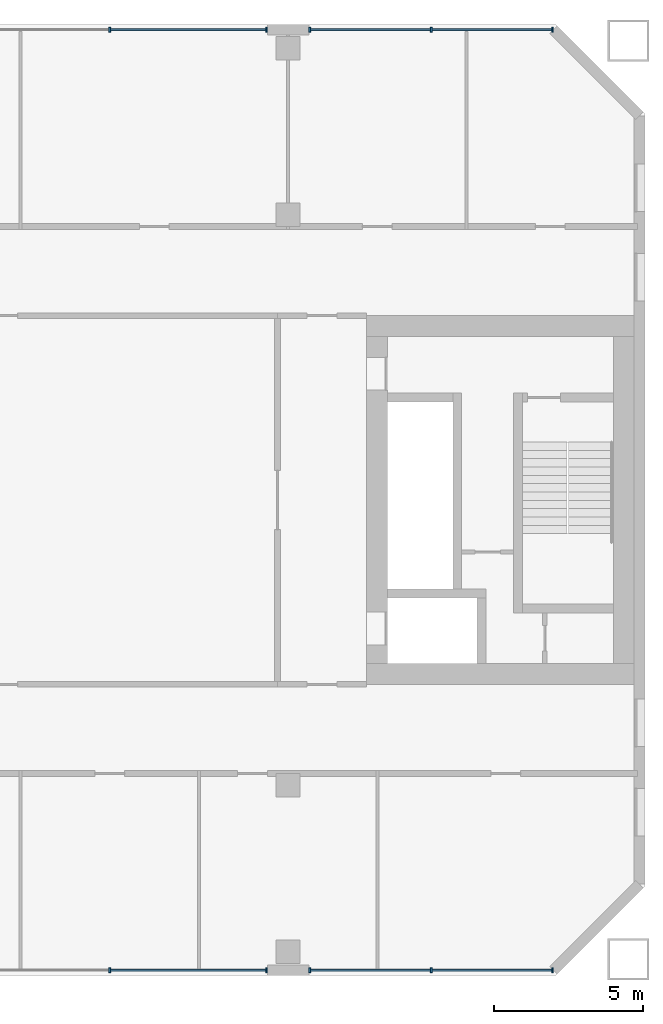
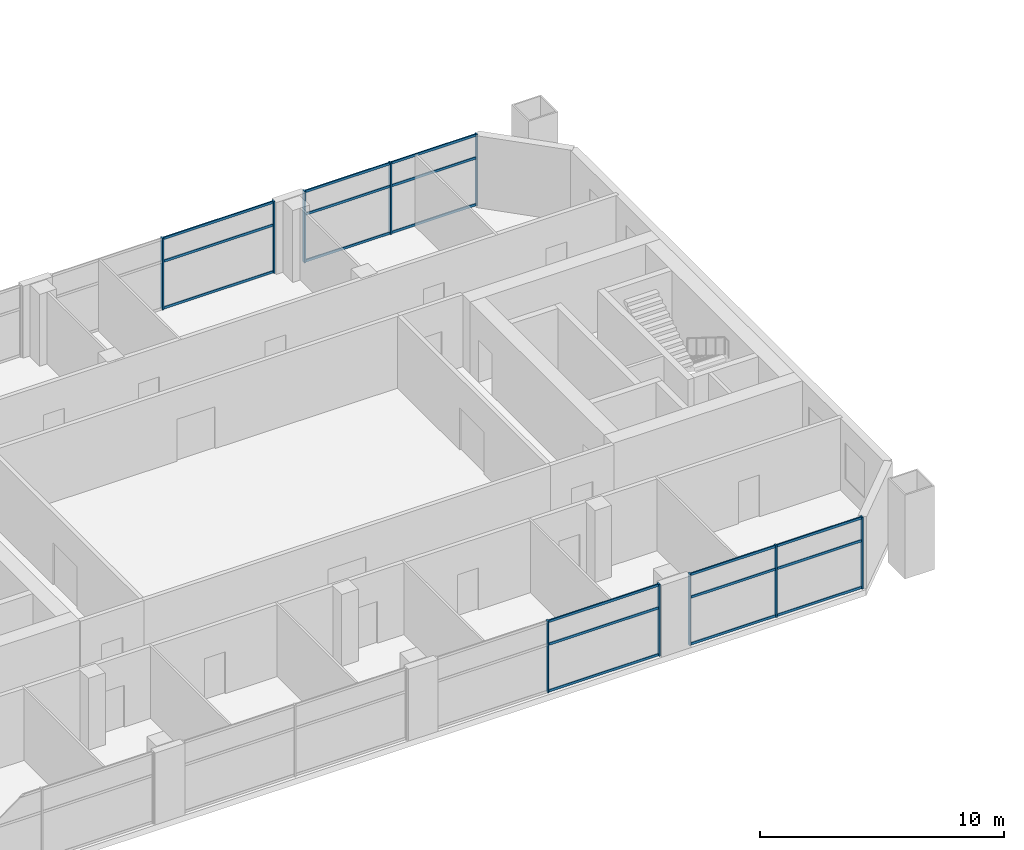
# One storey, part 4 of 19: 28 members, 4 elements without a shape of their own.
"""IFC4 building model written with IfcOpenShell, lengths in metres."""

from ifc_helpers import new_model, si_unit, direction, frame, origin, origin_2d, place, context, subcontext, project, spatial, rectangle, extrude, material, material_profile, profile_set, type_object, element, aggregate, save


model = new_model("IFC4")

# Units and contexts
model_context = context("Model", 3, precision=1e-05, world=origin(), true_north=direction((0.0, 1.0)))
body_context = subcontext(model_context, "Body", "Model", "MODEL_VIEW")
ifc_project = project(units=[si_unit("LENGTHUNIT", "METRE"), si_unit("AREAUNIT", "SQUARE_METRE"), si_unit("VOLUMEUNIT", "CUBIC_METRE"), si_unit("PLANEANGLEUNIT", "RADIAN"), si_unit("MASSUNIT", "GRAM", prefix="KILO")], contexts=[model_context])

# Site, building, storey
site_placement = place(None, origin())
site = spatial("IfcSite", under=ifc_project, at=site_placement, CompositionType="ELEMENT")
building_placement = place(site_placement, origin())
building = spatial("IfcBuilding", under=site, at=building_placement, Name="Tuart Gate Housing", CompositionType="ELEMENT")
storey_placement = place(building_placement, frame((0.0, 0.0, 67.39990234375)))
storey = spatial("IfcBuildingStorey", under=building, at=storey_placement, Name="L18", CompositionType="ELEMENT", Elevation=67.39990234375)

# Curtain wall, members
ifc_material_1 = material(Name="Aluminium and clear glass", Category="aluminium")
curtain_wall_type = type_object("IfcCurtainWallType", Name="Community floor glazing", PredefinedType="USERDEFINED", material=ifc_material_1)
curtain_wall_1_placement = place(storey_placement, origin())
curtain_wall_1 = element("IfcCurtainWall", 1, at=curtain_wall_1_placement, inside=storey, type_object=curtain_wall_type, Name="Community floor glazing A-S L18", ObjectType="COMMUNITY FLOOR GLAZING", PredefinedType="USERDEFINED")
ifc_material_2 = material(Name="Anodised aluminium", Category="aluminium")
ifc_material_profile_1 = material_profile(ifc_material_2, rectangle(XDim=0.06005859375, YDim=0.159912109375, at=origin_2d()), Name="60x160")
ifc_profile_set_1 = profile_set([ifc_material_profile_1], Name="Anodised aluminium")
member_type_1 = type_object("IfcMemberType", Name="Mullion 60 x 160", PredefinedType="MULLION", material=ifc_profile_set_1)
member_1_placement = place(storey_placement, frame((58.0, 54.179931640625, 0.0), z_axis=(0.0, 0.0, 1.0), x_axis=(1.0, 0.0, 0.0)))
member_1 = element("IfcMember", 2, at=member_1_placement, type_object=member_type_1, Name="CW3 mullion 2", PredefinedType="MULLION", context=body_context, shape_type="SweptSolid", body=[
    extrude(rectangle(XDim=0.06005859375, YDim=0.159912109375, at=origin_2d()), origin(), (0.0, 0.0, 1.0), 3.60009765625),
])
member_2_placement = place(storey_placement, frame((63.27001953125, 54.179931640625, 0.0), z_axis=(0.0, 0.0, 1.0), x_axis=(1.0, 0.0, 0.0)))
member_2 = element("IfcMember", 3, at=member_2_placement, type_object=member_type_1, Name="CW3 mullion 3", PredefinedType="MULLION", context=body_context, shape_type="SweptSolid", body=[
    extrude(rectangle(XDim=0.06005859375, YDim=0.159912109375, at=origin_2d()), origin(), (0.0, 0.0, 1.0), 3.60009765625),
])

curtain_wall_2_placement = place(storey_placement, origin())
curtain_wall_2 = element("IfcCurtainWall", 4, at=curtain_wall_2_placement, inside=storey, type_object=curtain_wall_type, Name="Community floor glazing A-S L18", ObjectType="COMMUNITY FLOOR GLAZING", PredefinedType="USERDEFINED")
member_3_placement = place(storey_placement, frame((64.72998046875, 54.179931640625, 0.0), z_axis=(0.0, 0.0, 1.0), x_axis=(1.0, 0.0, 0.0)))
member_3 = element("IfcMember", 5, at=member_3_placement, type_object=member_type_1, Name="CW3 mullion 1", PredefinedType="MULLION", context=body_context, shape_type="SweptSolid", body=[
    extrude(rectangle(XDim=0.06005859375, YDim=0.159912109375, at=origin_2d()), origin(), (0.0, 0.0, 1.0), 3.60009765625),
])
member_4_placement = place(storey_placement, frame((68.812744140625, 54.179931640625, 0.0), z_axis=(0.0, 0.0, 1.0), x_axis=(1.0, 0.0, 0.0)))
member_4 = element("IfcMember", 6, at=member_4_placement, type_object=member_type_1, Name="CW3 mullion 2", PredefinedType="MULLION", context=body_context, shape_type="SweptSolid", body=[
    extrude(rectangle(XDim=0.06005859375, YDim=0.159912109375, at=origin_2d()), origin(), (0.0, 0.0, 1.0), 3.60009765625),
])
member_5_placement = place(storey_placement, frame((72.8955078125, 54.179931640625, 0.0), z_axis=(0.0, 0.0, 1.0), x_axis=(1.0, 0.0, 0.0)))
member_5 = element("IfcMember", 7, at=member_5_placement, type_object=member_type_1, Name="CW3 mullion 3", PredefinedType="MULLION", context=body_context, shape_type="SweptSolid", body=[
    extrude(rectangle(XDim=0.06005859375, YDim=0.159912109375, at=origin_2d()), origin(), (0.0, 0.0, 1.0), 3.60009765625),
])

curtain_wall_3_placement = place(storey_placement, origin())
curtain_wall_3 = element("IfcCurtainWall", 8, at=curtain_wall_3_placement, inside=storey, type_object=curtain_wall_type, Name="Community floor glazing A-N L18", ObjectType="COMMUNITY FLOOR GLAZING", PredefinedType="USERDEFINED")
member_6_placement = place(storey_placement, frame((72.8955078125, 85.820068359375, 0.0), z_axis=(0.0, 0.0, 1.0), x_axis=(-1.0, 0.0, 0.0)))
member_6 = element("IfcMember", 9, at=member_6_placement, type_object=member_type_1, Name="CW3 mullion 1", PredefinedType="MULLION", context=body_context, shape_type="SweptSolid", body=[
    extrude(rectangle(XDim=0.06005859375, YDim=0.159912109375, at=origin_2d()), origin(), (0.0, 0.0, 1.0), 3.60009765625),
])
member_7_placement = place(storey_placement, frame((68.812744140625, 85.820068359375, 0.0), z_axis=(0.0, 0.0, 1.0), x_axis=(-1.0, 0.0, 0.0)))
member_7 = element("IfcMember", 10, at=member_7_placement, type_object=member_type_1, Name="CW3 mullion 2", PredefinedType="MULLION", context=body_context, shape_type="SweptSolid", body=[
    extrude(rectangle(XDim=0.06005859375, YDim=0.159912109375, at=origin_2d()), origin(), (0.0, 0.0, 1.0), 3.60009765625),
])
member_8_placement = place(storey_placement, frame((64.72998046875, 85.820068359375, 0.0), z_axis=(0.0, 0.0, 1.0), x_axis=(-1.0, 0.0, 0.0)))
member_8 = element("IfcMember", 11, at=member_8_placement, type_object=member_type_1, Name="CW3 mullion 3", PredefinedType="MULLION", context=body_context, shape_type="SweptSolid", body=[
    extrude(rectangle(XDim=0.06005859375, YDim=0.159912109375, at=origin_2d()), origin(), (0.0, 0.0, 1.0), 3.60009765625),
])

curtain_wall_4_placement = place(storey_placement, origin())
curtain_wall_4 = element("IfcCurtainWall", 12, at=curtain_wall_4_placement, inside=storey, type_object=curtain_wall_type, Name="Community floor glazing A-N L18", ObjectType="COMMUNITY FLOOR GLAZING", PredefinedType="USERDEFINED")
member_9_placement = place(storey_placement, frame((63.27001953125, 85.820068359375, 0.0), z_axis=(0.0, 0.0, 1.0), x_axis=(-1.0, 0.0, 0.0)))
member_9 = element("IfcMember", 13, at=member_9_placement, type_object=member_type_1, Name="CW3 mullion 1", PredefinedType="MULLION", context=body_context, shape_type="SweptSolid", body=[
    extrude(rectangle(XDim=0.06005859375, YDim=0.159912109375, at=origin_2d()), origin(), (0.0, 0.0, 1.0), 3.60009765625),
])
member_10_placement = place(storey_placement, frame((58.0, 85.820068359375, 0.0), z_axis=(0.0, 0.0, 1.0), x_axis=(-1.0, 0.0, 0.0)))
member_10 = element("IfcMember", 14, at=member_10_placement, type_object=member_type_1, Name="CW3 mullion 2", PredefinedType="MULLION", context=body_context, shape_type="SweptSolid", body=[
    extrude(rectangle(XDim=0.06005859375, YDim=0.159912109375, at=origin_2d()), origin(), (0.0, 0.0, 1.0), 3.60009765625),
])

# Member
ifc_material_3 = material(Name="Anodised aluminium", Category="aluminium")
ifc_material_profile_2 = material_profile(ifc_material_3, rectangle(XDim=0.06005859375, YDim=0.1201171875, at=origin_2d()), Name="60x120")
ifc_profile_set_2 = profile_set([ifc_material_profile_2], Name="Anodised aluminium")
member_type_2 = type_object("IfcMemberType", Name="Transom 60 x 120", PredefinedType="USERDEFINED", material=ifc_profile_set_2)
member_11_placement = place(storey_placement, frame((58.030029296875, 54.179931640625, 0.06005859375), z_axis=(1.0, 0.0, 0.0), x_axis=(0.0, 1.0, 0.0)))
member_11 = element("IfcMember", 15, at=member_11_placement, type_object=member_type_2, Name="CW3 transom 2.1", ObjectType="TRANSOM", PredefinedType="USERDEFINED", context=body_context, shape_type="SweptSolid", body=[
    extrude(rectangle(XDim=0.06005859375, YDim=0.1201171875, at=origin_2d()), origin(), (0.0, 0.0, 1.0), 5.2099609375),
])

member_12_placement = place(storey_placement, frame((58.030029296875, 54.179931640625, 2.400146484375), z_axis=(1.0, 0.0, 0.0), x_axis=(0.0, 1.0, 0.0)))
member_12 = element("IfcMember", 16, at=member_12_placement, type_object=member_type_2, Name="CW3 transom 2.2", ObjectType="TRANSOM", PredefinedType="USERDEFINED", context=body_context, shape_type="SweptSolid", body=[
    extrude(rectangle(XDim=0.06005859375, YDim=0.1201171875, at=origin_2d()), origin(), (0.0, 0.0, 1.0), 5.2099609375),
])

member_13_placement = place(storey_placement, frame((58.030029296875, 54.179931640625, 3.5400390625), z_axis=(1.0, 0.0, 0.0), x_axis=(0.0, 1.0, 0.0)))
member_13 = element("IfcMember", 17, at=member_13_placement, type_object=member_type_2, Name="CW3 transom 2.3", ObjectType="TRANSOM", PredefinedType="USERDEFINED", context=body_context, shape_type="SweptSolid", body=[
    extrude(rectangle(XDim=0.06005859375, YDim=0.1201171875, at=origin_2d()), origin(), (0.0, 0.0, 1.0), 5.2099609375),
])

aggregate(curtain_wall_1, [member_1, member_2, member_11, member_12, member_13])

member_14_placement = place(storey_placement, frame((64.760009765625, 54.179931640625, 0.06005859375), z_axis=(1.0, 0.0, 0.0), x_axis=(0.0, 1.0, 0.0)))
member_14 = element("IfcMember", 18, at=member_14_placement, type_object=member_type_2, Name="CW3 transom 1.1", ObjectType="TRANSOM", PredefinedType="USERDEFINED", context=body_context, shape_type="SweptSolid", body=[
    extrude(rectangle(XDim=0.06005859375, YDim=0.1201171875, at=origin_2d()), origin(), (0.0, 0.0, 1.0), 4.022705078125),
])

member_15_placement = place(storey_placement, frame((64.760009765625, 54.179931640625, 2.400146484375), z_axis=(1.0, 0.0, 0.0), x_axis=(0.0, 1.0, 0.0)))
member_15 = element("IfcMember", 19, at=member_15_placement, type_object=member_type_2, Name="CW3 transom 1.2", ObjectType="TRANSOM", PredefinedType="USERDEFINED", context=body_context, shape_type="SweptSolid", body=[
    extrude(rectangle(XDim=0.06005859375, YDim=0.1201171875, at=origin_2d()), origin(), (0.0, 0.0, 1.0), 4.022705078125),
])

member_16_placement = place(storey_placement, frame((64.760009765625, 54.179931640625, 3.5400390625), z_axis=(1.0, 0.0, 0.0), x_axis=(0.0, 1.0, 0.0)))
member_16 = element("IfcMember", 20, at=member_16_placement, type_object=member_type_2, Name="CW3 transom 1.3", ObjectType="TRANSOM", PredefinedType="USERDEFINED", context=body_context, shape_type="SweptSolid", body=[
    extrude(rectangle(XDim=0.06005859375, YDim=0.1201171875, at=origin_2d()), origin(), (0.0, 0.0, 1.0), 4.022705078125),
])

member_17_placement = place(storey_placement, frame((68.8427734375, 54.179931640625, 0.06005859375), z_axis=(1.0, 0.0, 0.0), x_axis=(0.0, 1.0, 0.0)))
member_17 = element("IfcMember", 21, at=member_17_placement, type_object=member_type_2, Name="CW3 transom 2.1", ObjectType="TRANSOM", PredefinedType="USERDEFINED", context=body_context, shape_type="SweptSolid", body=[
    extrude(rectangle(XDim=0.06005859375, YDim=0.1201171875, at=origin_2d()), origin(), (0.0, 0.0, 1.0), 4.022705078125),
])

member_18_placement = place(storey_placement, frame((68.8427734375, 54.179931640625, 2.400146484375), z_axis=(1.0, 0.0, 0.0), x_axis=(0.0, 1.0, 0.0)))
member_18 = element("IfcMember", 22, at=member_18_placement, type_object=member_type_2, Name="CW3 transom 2.2", ObjectType="TRANSOM", PredefinedType="USERDEFINED", context=body_context, shape_type="SweptSolid", body=[
    extrude(rectangle(XDim=0.06005859375, YDim=0.1201171875, at=origin_2d()), origin(), (0.0, 0.0, 1.0), 4.022705078125),
])

member_19_placement = place(storey_placement, frame((68.8427734375, 54.179931640625, 3.5400390625), z_axis=(1.0, 0.0, 0.0), x_axis=(0.0, 1.0, 0.0)))
member_19 = element("IfcMember", 23, at=member_19_placement, type_object=member_type_2, Name="CW3 transom 2.3", ObjectType="TRANSOM", PredefinedType="USERDEFINED", context=body_context, shape_type="SweptSolid", body=[
    extrude(rectangle(XDim=0.06005859375, YDim=0.1201171875, at=origin_2d()), origin(), (0.0, 0.0, 1.0), 4.022705078125),
])

aggregate(curtain_wall_2, [member_3, member_4, member_5, member_14, member_15, member_16, member_17, member_18, member_19])

member_20_placement = place(storey_placement, frame((72.865478515625, 85.820068359375, 0.06005859375), z_axis=(-1.0, 0.0, 0.0), x_axis=(0.0, -1.0, 0.0)))
member_20 = element("IfcMember", 24, at=member_20_placement, type_object=member_type_2, Name="CW3 transom 1.1", ObjectType="TRANSOM", PredefinedType="USERDEFINED", context=body_context, shape_type="SweptSolid", body=[
    extrude(rectangle(XDim=0.06005859375, YDim=0.1201171875, at=origin_2d()), origin(), (0.0, 0.0, 1.0), 4.022705078125),
])

member_21_placement = place(storey_placement, frame((72.865478515625, 85.820068359375, 2.400146484375), z_axis=(-1.0, 0.0, 0.0), x_axis=(0.0, -1.0, 0.0)))
member_21 = element("IfcMember", 25, at=member_21_placement, type_object=member_type_2, Name="CW3 transom 1.2", ObjectType="TRANSOM", PredefinedType="USERDEFINED", context=body_context, shape_type="SweptSolid", body=[
    extrude(rectangle(XDim=0.06005859375, YDim=0.1201171875, at=origin_2d()), origin(), (0.0, 0.0, 1.0), 4.022705078125),
])

member_22_placement = place(storey_placement, frame((72.865478515625, 85.820068359375, 3.5400390625), z_axis=(-1.0, 0.0, 0.0), x_axis=(0.0, -1.0, 0.0)))
member_22 = element("IfcMember", 26, at=member_22_placement, type_object=member_type_2, Name="CW3 transom 1.3", ObjectType="TRANSOM", PredefinedType="USERDEFINED", context=body_context, shape_type="SweptSolid", body=[
    extrude(rectangle(XDim=0.06005859375, YDim=0.1201171875, at=origin_2d()), origin(), (0.0, 0.0, 1.0), 4.022705078125),
])

member_23_placement = place(storey_placement, frame((68.78271484375, 85.820068359375, 0.06005859375), z_axis=(-1.0, 0.0, 0.0), x_axis=(0.0, -1.0, 0.0)))
member_23 = element("IfcMember", 27, at=member_23_placement, type_object=member_type_2, Name="CW3 transom 2.1", ObjectType="TRANSOM", PredefinedType="USERDEFINED", context=body_context, shape_type="SweptSolid", body=[
    extrude(rectangle(XDim=0.06005859375, YDim=0.1201171875, at=origin_2d()), origin(), (0.0, 0.0, 1.0), 4.022705078125),
])

member_24_placement = place(storey_placement, frame((68.78271484375, 85.820068359375, 2.400146484375), z_axis=(-1.0, 0.0, 0.0), x_axis=(0.0, -1.0, 0.0)))
member_24 = element("IfcMember", 28, at=member_24_placement, type_object=member_type_2, Name="CW3 transom 2.2", ObjectType="TRANSOM", PredefinedType="USERDEFINED", context=body_context, shape_type="SweptSolid", body=[
    extrude(rectangle(XDim=0.06005859375, YDim=0.1201171875, at=origin_2d()), origin(), (0.0, 0.0, 1.0), 4.022705078125),
])

member_25_placement = place(storey_placement, frame((68.78271484375, 85.820068359375, 3.5400390625), z_axis=(-1.0, 0.0, 0.0), x_axis=(0.0, -1.0, 0.0)))
member_25 = element("IfcMember", 29, at=member_25_placement, type_object=member_type_2, Name="CW3 transom 2.3", ObjectType="TRANSOM", PredefinedType="USERDEFINED", context=body_context, shape_type="SweptSolid", body=[
    extrude(rectangle(XDim=0.06005859375, YDim=0.1201171875, at=origin_2d()), origin(), (0.0, 0.0, 1.0), 4.022705078125),
])

aggregate(curtain_wall_3, [member_6, member_7, member_8, member_20, member_21, member_22, member_23, member_24, member_25])

member_26_placement = place(storey_placement, frame((63.239990234375, 85.820068359375, 0.06005859375), z_axis=(-1.0, 0.0, 0.0), x_axis=(0.0, -1.0, 0.0)))
member_26 = element("IfcMember", 30, at=member_26_placement, type_object=member_type_2, Name="CW3 transom 1.1", ObjectType="TRANSOM", PredefinedType="USERDEFINED", context=body_context, shape_type="SweptSolid", body=[
    extrude(rectangle(XDim=0.06005859375, YDim=0.1201171875, at=origin_2d()), origin(), (0.0, 0.0, 1.0), 5.2099609375),
])

member_27_placement = place(storey_placement, frame((63.239990234375, 85.820068359375, 2.400146484375), z_axis=(-1.0, 0.0, 0.0), x_axis=(0.0, -1.0, 0.0)))
member_27 = element("IfcMember", 31, at=member_27_placement, type_object=member_type_2, Name="CW3 transom 1.2", ObjectType="TRANSOM", PredefinedType="USERDEFINED", context=body_context, shape_type="SweptSolid", body=[
    extrude(rectangle(XDim=0.06005859375, YDim=0.1201171875, at=origin_2d()), origin(), (0.0, 0.0, 1.0), 5.2099609375),
])

member_28_placement = place(storey_placement, frame((63.239990234375, 85.820068359375, 3.5400390625), z_axis=(-1.0, 0.0, 0.0), x_axis=(0.0, -1.0, 0.0)))
member_28 = element("IfcMember", 32, at=member_28_placement, type_object=member_type_2, Name="CW3 transom 1.3", ObjectType="TRANSOM", PredefinedType="USERDEFINED", context=body_context, shape_type="SweptSolid", body=[
    extrude(rectangle(XDim=0.06005859375, YDim=0.1201171875, at=origin_2d()), origin(), (0.0, 0.0, 1.0), 5.2099609375),
])

aggregate(curtain_wall_4, [member_9, member_10, member_26, member_27, member_28])

save(model, "model.ifc")
